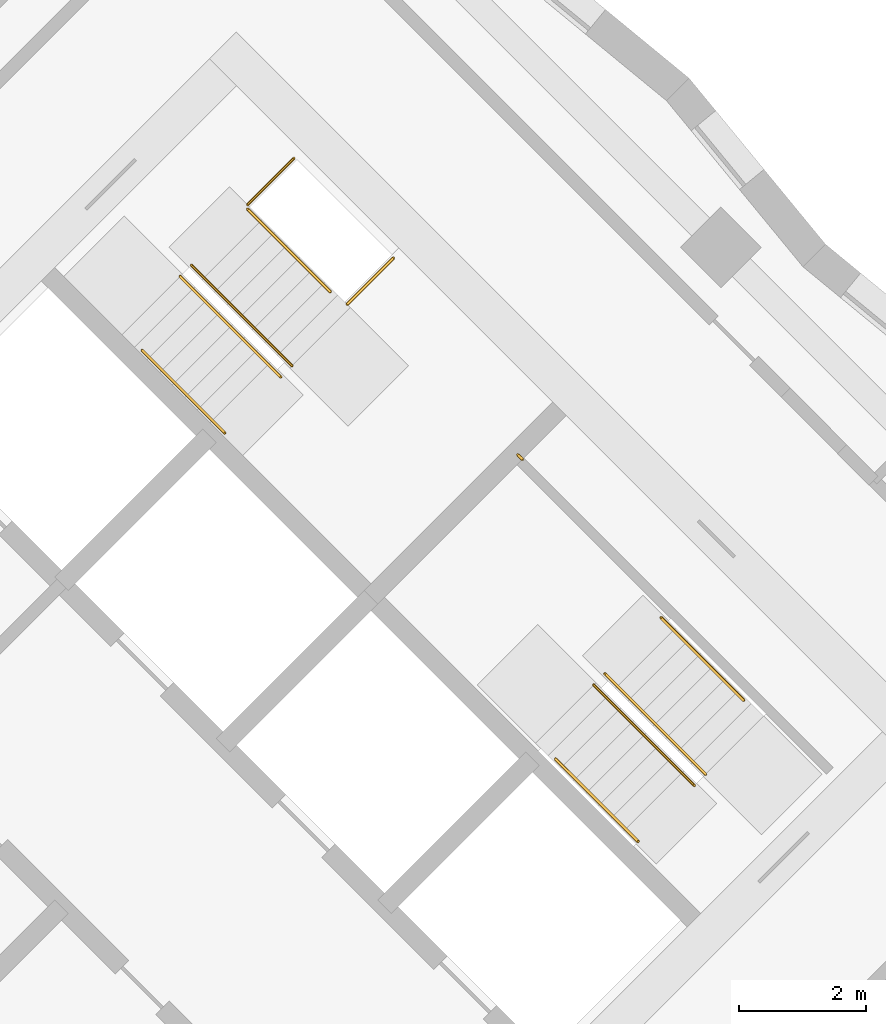
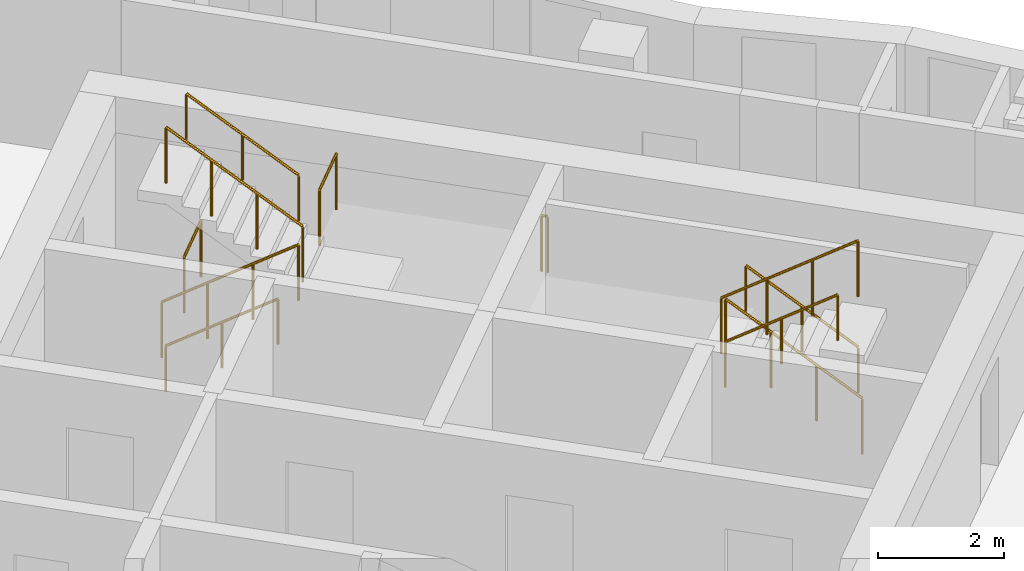
# One storey, part 12 of 12: 11 railings.
"""IFC4 building model written with IfcOpenShell, lengths in metres."""

from ifc_helpers import new_model, si_unit, direction, frame, origin, origin_2d, place, context, subcontext, project, spatial, circle, extrude, material, type_object, element, save


model = new_model("IFC4")

# Units and contexts
model_context = context("Model", 3, precision=1e-05, world=origin(), true_north=direction((0.0, 1.0)))
body_context = subcontext(model_context, "Body", "Model", "MODEL_VIEW")
ifc_project = project(units=[si_unit("LENGTHUNIT", "METRE"), si_unit("AREAUNIT", "SQUARE_METRE"), si_unit("VOLUMEUNIT", "CUBIC_METRE"), si_unit("PLANEANGLEUNIT", "RADIAN"), si_unit("MASSUNIT", "GRAM", prefix="KILO")], contexts=[model_context])

# Site, building, storey
site_placement = place(None, origin())
site = spatial("IfcSite", under=ifc_project, at=site_placement, CompositionType="ELEMENT")
building_placement = place(site_placement, origin())
building = spatial("IfcBuilding", under=site, at=building_placement, Name="Windrow Commons", CompositionType="ELEMENT")
storey_placement = place(building_placement, frame((0.0, 0.0, 138.8)))
storey = spatial("IfcBuildingStorey", under=building, at=storey_placement, Name="L37", CompositionType="ELEMENT", Elevation=138.8)

# Railings
ifc_material_1 = material(Name="Steel S355", Category="steel")
railing_type_1 = type_object("IfcRailingType", Name="Core stair guard 1100", PredefinedType="GUARDRAIL", material=ifc_material_1)
railing_1_placement = place(storey_placement, frame((85.9529, 56.2669, 0.1889)))
element("IfcRailing", 1, at=railing_1_placement, inside=storey, type_object=railing_type_1, Name="L37 ST-B1 stair guard 1", PredefinedType="GUARDRAIL", context=body_context, shape_type="SweptSolid", body=[
    extrude(circle(Radius=0.024, at=origin_2d()), frame((0.0, 0.0, 1.076), z_axis=(0.5861914914, -0.5861914914, 0.5592486664), x_axis=(0.7071067812, 0.7071067812, 0.0)), (0.0, 0.0, 1.0), 2.702),
    extrude(circle(Radius=0.021, at=origin_2d()), origin(), (0.0, 0.0, 1.0), 1.052),
    extrude(circle(Radius=0.021, at=origin_2d()), frame((0.528, -0.528, 0.5037)), (0.0, 0.0, 1.0), 1.052),
    extrude(circle(Radius=0.021, at=origin_2d()), frame((1.0559, -1.0559, 1.0074)), (0.0, 0.0, 1.0), 1.052),
    extrude(circle(Radius=0.021, at=origin_2d()), frame((1.5839, -1.5839, 1.5111)), (0.0, 0.0, 1.0), 1.052),
])
railing_2_placement = place(storey_placement, frame((87.7136, 54.8597, 1.8889)))
element("IfcRailing", 2, at=railing_2_placement, inside=storey, type_object=railing_type_1, Name="L37 ST-B1 stair guard 2", PredefinedType="GUARDRAIL", context=body_context, shape_type="SweptSolid", body=[
    extrude(circle(Radius=0.024, at=origin_2d()), frame((0.0, 0.0, 1.076), z_axis=(-0.5862030657, 0.5862030657, 0.5592244018), x_axis=(-0.7071067812, -0.7071067812, 0.0)), (0.0, 0.0, 1.0), 2.7021),
    extrude(circle(Radius=0.021, at=origin_2d()), origin(), (0.0, 0.0, 1.0), 1.052),
    extrude(circle(Radius=0.021, at=origin_2d()), frame((-0.528, 0.528, 0.5037)), (0.0, 0.0, 1.0), 1.052),
    extrude(circle(Radius=0.021, at=origin_2d()), frame((-1.056, 1.056, 1.0074)), (0.0, 0.0, 1.0), 1.052),
    extrude(circle(Radius=0.021, at=origin_2d()), frame((-1.584, 1.584, 1.5111)), (0.0, 0.0, 1.0), 1.052),
])
railing_3_placement = place(storey_placement, frame((87.0135, 57.3982, 0.0)))
element("IfcRailing", 3, at=railing_3_placement, inside=storey, type_object=railing_type_1, Name="L37 ST-B1 stair guard 3", PredefinedType="GUARDRAIL", context=body_context, shape_type="SweptSolid", body=[
    extrude(circle(Radius=0.024, at=origin_2d()), frame((0.0, 0.0, 1.076), z_axis=(0.7070582378, 0.7071553212, 0.0), x_axis=(-0.7071553212, 0.7070582378, 0.0)), (0.0, 0.0, 1.0), 1.03),
    extrude(circle(Radius=0.021, at=origin_2d()), origin(), (0.0, 0.0, 1.0), 1.052),
    extrude(circle(Radius=0.021, at=origin_2d()), frame((0.7283, 0.7284, 0.0)), (0.0, 0.0, 1.0), 1.052),
])
railing_4_placement = place(storey_placement, frame((88.5833, 55.8285, 1.7)))
element("IfcRailing", 4, at=railing_4_placement, inside=storey, type_object=railing_type_1, Name="L37 ST-B1 stair guard 4", PredefinedType="GUARDRAIL", context=body_context, shape_type="SweptSolid", body=[
    extrude(circle(Radius=0.024, at=origin_2d()), frame((0.0, 0.0, 1.076), z_axis=(0.7071067812, 0.7071067812, 0.0), x_axis=(-0.7071067812, 0.7071067812, 0.0)), (0.0, 0.0, 1.0), 1.03),
    extrude(circle(Radius=0.021, at=origin_2d()), origin(), (0.0, 0.0, 1.0), 1.052),
    extrude(circle(Radius=0.021, at=origin_2d()), frame((0.7283, 0.7283, 0.0)), (0.0, 0.0, 1.0), 1.052),
])
railing_5_placement = place(storey_placement, frame((94.2296, 48.4215, 0.1889)))
element("IfcRailing", 5, at=railing_5_placement, inside=storey, type_object=railing_type_1, Name="L37 ST-B2 stair guard 1", PredefinedType="GUARDRAIL", context=body_context, shape_type="SweptSolid", body=[
    extrude(circle(Radius=0.024, at=origin_2d()), frame((0.0, 0.0, 1.076), z_axis=(-0.5862157828, 0.5861787742, 0.5592365337), x_axis=(-0.7070844598, -0.7071291018, 0.0)), (0.0, 0.0, 1.0), 2.7021),
    extrude(circle(Radius=0.021, at=origin_2d()), origin(), (0.0, 0.0, 1.0), 1.052),
    extrude(circle(Radius=0.021, at=origin_2d()), frame((-0.528, 0.528, 0.5037)), (0.0, 0.0, 1.0), 1.052),
    extrude(circle(Radius=0.021, at=origin_2d()), frame((-1.056, 1.0559, 1.0074)), (0.0, 0.0, 1.0), 1.052),
    extrude(circle(Radius=0.021, at=origin_2d()), frame((-1.584, 1.5839, 1.5111)), (0.0, 0.0, 1.0), 1.052),
])
railing_6_placement = place(storey_placement, frame((92.4689, 49.8287, 1.8889)))
element("IfcRailing", 6, at=railing_6_placement, inside=storey, type_object=railing_type_1, Name="L37 ST-B2 stair guard 2", PredefinedType="GUARDRAIL", context=body_context, shape_type="SweptSolid", body=[
    extrude(circle(Radius=0.024, at=origin_2d()), frame((0.0, 0.0, 1.076), z_axis=(0.5861787742, -0.5862157828, 0.5592365337), x_axis=(0.7071291018, 0.7070844598, 0.0)), (0.0, 0.0, 1.0), 2.7021),
    extrude(circle(Radius=0.021, at=origin_2d()), origin(), (0.0, 0.0, 1.0), 1.052),
    extrude(circle(Radius=0.021, at=origin_2d()), frame((0.528, -0.528, 0.5037)), (0.0, 0.0, 1.0), 1.052),
    extrude(circle(Radius=0.021, at=origin_2d()), frame((1.0559, -1.056, 1.0074)), (0.0, 0.0, 1.0), 1.052),
    extrude(circle(Radius=0.021, at=origin_2d()), frame((1.5839, -1.584, 1.5111)), (0.0, 0.0, 1.0), 1.052),
])
railing_7_placement = place(storey_placement, frame((91.3446, 53.3854, 1.7)))
element("IfcRailing", 7, at=railing_7_placement, inside=storey, type_object=railing_type_1, Name="L37 ST-B2 stair guard 3", PredefinedType="GUARDRAIL", context=body_context, shape_type="SweptSolid", body=[
    extrude(circle(Radius=0.024, at=origin_2d()), frame((0.0, 0.0, 1.076), z_axis=(-0.7076063266, 0.7066068826, 0.0), x_axis=(-0.7066068826, -0.7076063266, 0.0)), (0.0, 0.0, 1.0), 0.1001),
    extrude(circle(Radius=0.021, at=origin_2d()), origin(), (0.0, 0.0, 1.0), 1.052),
    extrude(circle(Radius=0.021, at=origin_2d()), frame((-0.0708, 0.0707, 0.0)), (0.0, 0.0, 1.0), 1.052),
])
ifc_material_2 = material(Name="Steel S355", Category="steel")
railing_type_2 = type_object("IfcRailingType", Name="Core stair handrail 900", PredefinedType="HANDRAIL", material=ifc_material_2)
railing_8_placement = place(storey_placement, frame((85.3518, 55.1001, 0.4587)))
element("IfcRailing", 8, at=railing_8_placement, inside=storey, type_object=railing_type_2, Name="L37 ST-B1 stair handrail 1", PredefinedType="HANDRAIL", context=body_context, shape_type="SweptSolid", body=[
    extrude(circle(Radius=0.024, at=origin_2d()), frame((0.0, 0.0, 0.876), z_axis=(0.586206706, -0.5861616513, 0.5592639952), x_axis=(0.7070796062, 0.7071339551, 0.0)), (0.0, 0.0, 1.0), 2.2195),
    extrude(circle(Radius=0.021, at=origin_2d()), origin(), (0.0, 0.0, 1.0), 0.852),
    extrude(circle(Radius=0.021, at=origin_2d()), frame((0.6506, -0.6505, 0.6206)), (0.0, 0.0, 1.0), 0.852),
    extrude(circle(Radius=0.021, at=origin_2d()), frame((1.3011, -1.301, 1.2413)), (0.0, 0.0, 1.0), 0.852),
])
for number, where, name in (
    (9, (88.3146, 56.0265, 2.1587), "L37 ST-B1 stair handrail 2"),
    (10, (94.8306, 49.5883, 0.4587), "L37 ST-B2 stair handrail 1"),
):
    element("IfcRailing", number, at=place(storey_placement, frame(where)), inside=storey, type_object=railing_type_2, Name=name, PredefinedType="HANDRAIL", context=body_context, shape_type="SweptSolid", body=[
        extrude(circle(Radius=0.024, at=origin_2d()), frame((0.0, 0.0, 0.876), z_axis=(-0.586206706, 0.5861616513, 0.5592639952), x_axis=(-0.7070796062, -0.7071339551, 0.0)), (0.0, 0.0, 1.0), 2.2195),
        extrude(circle(Radius=0.021, at=origin_2d()), origin(), (0.0, 0.0, 1.0), 0.852),
        extrude(circle(Radius=0.021, at=origin_2d()), frame((-0.6506, 0.6505, 0.6206)), (0.0, 0.0, 1.0), 0.852),
        extrude(circle(Radius=0.021, at=origin_2d()), frame((-1.3011, 1.301, 1.2413)), (0.0, 0.0, 1.0), 0.852),
    ])
railing_9_placement = place(storey_placement, frame((91.8678, 48.6619, 2.1587)))
element("IfcRailing", 11, at=railing_9_placement, inside=storey, type_object=railing_type_2, Name="L37 ST-B2 stair handrail 2", PredefinedType="HANDRAIL", context=body_context, shape_type="SweptSolid", body=[
    extrude(circle(Radius=0.024, at=origin_2d()), frame((0.0, 0.0, 0.876), z_axis=(0.586206706, -0.5861616513, 0.5592639952), x_axis=(0.7070796062, 0.7071339551, 0.0)), (0.0, 0.0, 1.0), 2.2195),
    extrude(circle(Radius=0.021, at=origin_2d()), origin(), (0.0, 0.0, 1.0), 0.852),
    extrude(circle(Radius=0.021, at=origin_2d()), frame((0.6505, -0.6505, 0.6206)), (0.0, 0.0, 1.0), 0.852),
    extrude(circle(Radius=0.021, at=origin_2d()), frame((1.3011, -1.301, 1.2413)), (0.0, 0.0, 1.0), 0.852),
])

save(model, "model.ifc")
